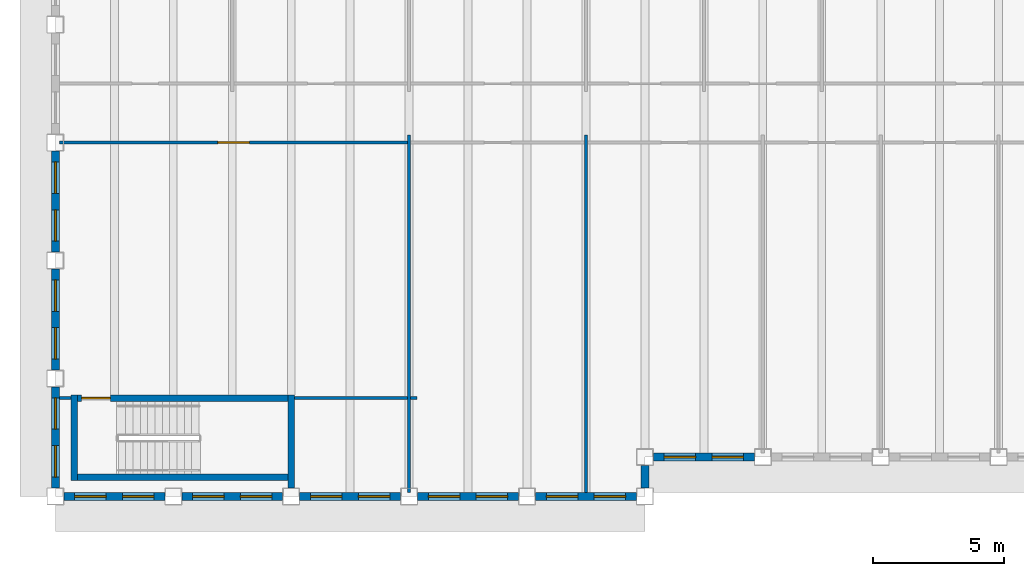
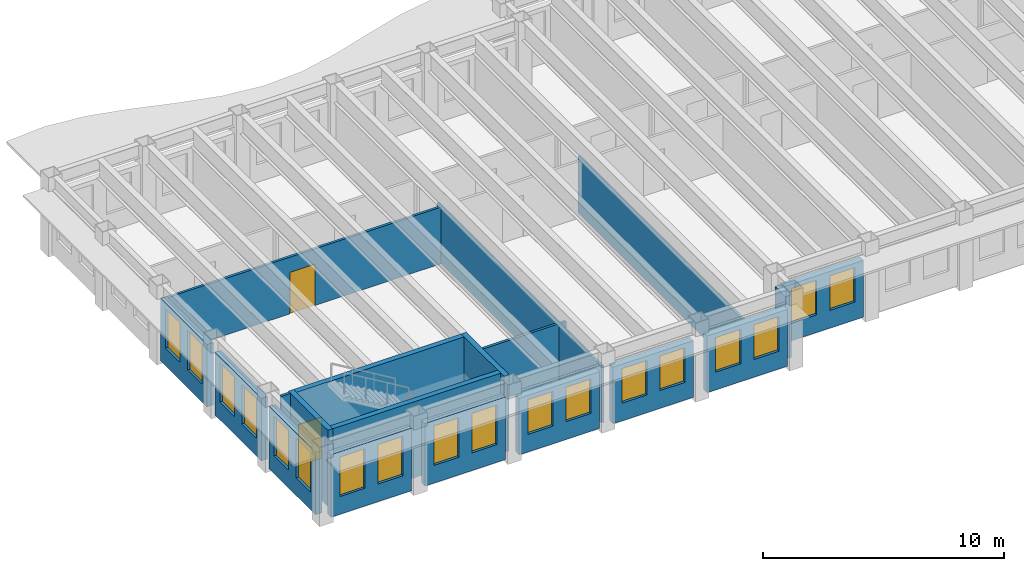
# One storey, part 2 of 12: 20 walls, 18 windows, 2 doors, 20 openings.
"""IFC4 building model written with IfcOpenShell, lengths in metres."""

from ifc_helpers import new_model, si_unit, direction, frame, frame_2d, origin, place, context, subcontext, project, spatial, rectangle, extrude, material, layer, layer_set, type_object, element, fill, save


model = new_model("IFC4")

# Units and contexts
model_context = context("Model", 3, precision=1e-05, world=origin(), true_north=direction((0.0, 1.0)))
body_context = subcontext(model_context, "Body", "Model", "MODEL_VIEW")
ifc_project = project(units=[si_unit("LENGTHUNIT", "METRE"), si_unit("AREAUNIT", "SQUARE_METRE"), si_unit("VOLUMEUNIT", "CUBIC_METRE"), si_unit("PLANEANGLEUNIT", "RADIAN"), si_unit("MASSUNIT", "GRAM", prefix="KILO")], contexts=[model_context])

# Site, building, storey
site_placement = place(None, origin())
site = spatial("IfcSite", under=ifc_project, at=site_placement, CompositionType="ELEMENT")
building_placement = place(site_placement, origin())
building = spatial("IfcBuilding", under=site, at=building_placement, Name="Sennacour Bend Tower", CompositionType="ELEMENT")
storey_placement = place(building_placement, frame((0.0, 0.0, 285.0)))
storey = spatial("IfcBuildingStorey", under=building, at=storey_placement, Name="L66", CompositionType="ELEMENT", Elevation=285.0)

# Walls
ifc_material_1 = material(Name="Plasterboard partition on steel studs", Category="steel")
ifc_layer_1 = layer(ifc_material_1, 0.1201171875, Name="Plasterboard partition on steel studs", Category="steel")
ifc_layer_set_1 = layer_set([ifc_layer_1], Name="Plasterboard partition on steel studs")
wall_type_1 = type_object("IfcWallType", Name="Partition 120", PredefinedType="PARTITIONING", material=ifc_layer_set_1)
for number, where, z_axis, x_axis, name in (
    (1, (13.5, 0.14990234375, 0.0), (0.0, 0.0, 1.0), (0.0, 1.0, 0.0), "P-L66-W005a"),
    (2, (20.25, 0.14990234375, 0.0), (0.0, 0.0, 1.0), (0.0, 1.0, 0.0), "P-L66-W007a"),
):
    element("IfcWall", number, at=place(storey_placement, frame(where, z_axis=z_axis, x_axis=x_axis)), inside=storey, type_object=wall_type_1, Name=name, PredefinedType="PARTITIONING", context=body_context, shape_type="SweptSolid", body=[
        extrude(rectangle(XDim=13.650146484375, YDim=0.1201171875, at=frame_2d((6.8251953125, 0.0))), origin(), (0.0, 0.0, 1.0), 2.8701171875),
    ])
wall_1_placement = place(storey_placement, frame((0.14990234375, 3.75, 0.0), z_axis=(0.0, 0.0, 1.0), x_axis=(1.0, 0.0, 0.0)))
element("IfcWall", 3, at=wall_1_placement, inside=storey, type_object=wall_type_1, Name="P-L66-W032a", PredefinedType="PARTITIONING", context=body_context, shape_type="SweptSolid", body=[
    extrude(rectangle(XDim=0.4501953125, YDim=0.1201171875, at=frame_2d((0.22509765625, 0.0))), origin(), (0.0, 0.0, 1.0), 3.85009765625),
])
wall_2_placement = place(storey_placement, frame((9.125, 3.75, 0.0), z_axis=(0.0, 0.0, 1.0), x_axis=(1.0, 0.0, 0.0)))
element("IfcWall", 4, at=wall_2_placement, inside=storey, type_object=wall_type_1, Name="P-L66-W034aa", PredefinedType="PARTITIONING", context=body_context, shape_type="SweptSolid", body=[
    extrude(rectangle(XDim=4.31494140625, YDim=0.1201171875, at=frame_2d((2.157470703125, 0.0))), origin(), (0.0, 0.0, 1.0), 2.8701171875),
])
wall_3_placement = place(storey_placement, frame((13.56005859375, 3.75, 0.0), z_axis=(0.0, 0.0, 1.0), x_axis=(1.0, 0.0, 0.0)))
element("IfcWall", 5, at=wall_3_placement, inside=storey, type_object=wall_type_1, Name="P-L66-W034ab", PredefinedType="PARTITIONING", context=body_context, shape_type="SweptSolid", body=[
    extrude(rectangle(XDim=0.239990234375, YDim=0.1201171875, at=frame_2d((0.1201171875, 0.0))), origin(), (0.0, 0.0, 1.0), 2.8701171875),
])

# Wall, opening, door
ifc_layer_2 = layer(ifc_material_1, 0.1201171875, Name="Plasterboard partition on steel studs", Category="steel")
ifc_layer_set_2 = layer_set([ifc_layer_2], Name="Plasterboard partition on steel studs")
wall_type_2 = type_object("IfcWallType", Name="Partition 120 EI 30", PredefinedType="PARTITIONING", material=ifc_layer_set_2)
wall_4_placement = place(storey_placement, frame((0.14990234375, 13.5, 0.0), z_axis=(0.0, 0.0, 1.0), x_axis=(1.0, 0.0, 0.0)))
wall_4 = element("IfcWall", 6, at=wall_4_placement, inside=storey, type_object=wall_type_2, Name="P-L66-W040aa", PredefinedType="PARTITIONING", context=body_context, shape_type="SweptSolid", body=[
    extrude(rectangle(XDim=13.2900390625, YDim=0.1201171875, at=frame_2d((6.64501953125, 0.0))), origin(), (0.0, 0.0, 1.0), 2.8701171875),
])
opening_1_placement = place(wall_4_placement, frame((6.05517578125, 0.0, 0.0)))
opening_1 = element("IfcOpeningElement", 7, at=opening_1_placement, cuts=wall_4, Name="Opening KD2", PredefinedType="OPENING", context=body_context, shape_type="SweptSolid", body=[
    extrude(rectangle(XDim=1.199951171875, YDim=2.10009765625, at=frame_2d((0.60009765625, 1.050048828125))), frame((0.0, 0.070068359375, 0.0), z_axis=(0.0, -1.0, 0.0), x_axis=(1.0, 0.0, 0.0)), (0.0, 0.0, 1.0), 0.14013671875),
])
ifc_material_2 = material(Name="Painted steel", Category="steel")
door_type_1 = type_object("IfcDoorType", Name="DR-CORRIDOR-1200", OperationType="NOTDEFINED", PredefinedType="DOOR", material=ifc_material_2)
door_1_placement = place(opening_1_placement, origin())
door_1 = element("IfcDoor", 8, at=door_1_placement, inside=storey, type_object=door_type_1, Name="Door", OperationType="SINGLE_SWING_RIGHT", OverallHeight=2.10009765625, OverallWidth=1.199951171875, PredefinedType="DOOR", context=body_context, shape_type="SweptSolid", body=[
    extrude(rectangle(XDim=1.199951171875, YDim=2.10009765625, at=frame_2d((0.60009765625, 1.050048828125))), frame((0.0, 0.02490234375, 0.0), z_axis=(0.0, -1.0, 0.0), x_axis=(1.0, 0.0, 0.0)), (0.0, 0.0, 1.0), 0.050048828125),
])
fill(opening_1, door_1)

# Wall
ifc_material_3 = material(Name="Warm limestone cladding", Category="masonry")
ifc_layer_3 = layer(ifc_material_3, 0.050048828125, Name="Warm limestone cladding", Category="masonry")
ifc_material_4 = material(Name="Precast concrete C40/50", Category="concrete")
ifc_layer_4 = layer(ifc_material_4, 0.25, Name="Precast concrete C40/50", Category="concrete")
ifc_layer_set_3 = layer_set([ifc_layer_3, ifc_layer_4], Name="Precast concrete C40/50 with limestone cladding")
wall_type_3 = type_object("IfcWallType", Name="STONE-CLAD PRECAST SPANDREL 300", PredefinedType="STANDARD", material=ifc_layer_set_3)
wall_5_placement = place(storey_placement, frame((22.5, 0.324951171875, 0.0), z_axis=(0.0, 0.0, 1.0), x_axis=(0.0, 1.0, 0.0)))
element("IfcWall", 9, at=wall_5_placement, inside=storey, type_object=wall_type_3, Name="Stone spandrel and pier wall L66 00.00", PredefinedType="STANDARD", context=body_context, shape_type="SweptSolid", body=[
    extrude(rectangle(XDim=0.85009765625, YDim=0.300048828125, at=frame_2d((0.425048828125, 0.0))), origin(), (0.0, 0.0, 1.0), 3.162109375),
])

# Wall, openings, windows
wall_6_placement = place(storey_placement, frame((22.824951171875, 1.5, 0.0), z_axis=(0.0, 0.0, 1.0), x_axis=(1.0, 0.0, 0.0)))
wall_6 = element("IfcWall", 10, at=wall_6_placement, inside=storey, type_object=wall_type_3, Name="Stone spandrel and pier wall L66 01.00", PredefinedType="STANDARD", context=body_context, shape_type="SweptSolid", body=[
    extrude(rectangle(XDim=3.85009765625, YDim=0.300048828125, at=frame_2d((1.925048828125, 0.0))), origin(), (0.0, 0.0, 1.0), 2.8701171875),
])
opening_2_placement = place(wall_6_placement, frame((0.41259765625, 0.0, 0.89990234375)))
opening_2 = element("IfcOpeningElement", 11, at=opening_2_placement, cuts=wall_6, Name="Opening W16", PredefinedType="OPENING", context=body_context, shape_type="SweptSolid", body=[
    extrude(rectangle(XDim=1.199951171875, YDim=1.75, at=frame_2d((0.60009765625, 0.875))), frame((0.0, 0.16015625, 0.0), z_axis=(0.0, -1.0, 0.0), x_axis=(1.0, 0.0, 0.0)), (0.0, 0.0, 1.0), 0.320068359375),
])
opening_3_placement = place(wall_6_placement, frame((2.237548828125, 0.0, 0.89990234375)))
opening_3 = element("IfcOpeningElement", 12, at=opening_3_placement, cuts=wall_6, Name="Opening W16", PredefinedType="OPENING", context=body_context, shape_type="SweptSolid", body=[
    extrude(rectangle(XDim=1.199951171875, YDim=1.75, at=frame_2d((0.60009765625, 0.875))), frame((0.0, 0.16015625, 0.0), z_axis=(0.0, -1.0, 0.0), x_axis=(1.0, 0.0, 0.0)), (0.0, 0.0, 1.0), 0.320068359375),
])
ifc_material_5 = material(Name="Clear low-emissivity glass", Category="glass")
window_type_1 = type_object("IfcWindowType", Name="WIN-RIBBON-1200x1750", PartitioningType="SINGLE_PANEL", PredefinedType="WINDOW", material=ifc_material_5)
window_1_placement = place(opening_2_placement, origin())
window_1 = element("IfcWindow", 13, at=window_1_placement, inside=storey, type_object=window_type_1, Name="Ribbon window L66 01.00.0", OverallHeight=1.75, OverallWidth=1.199951171875, PartitioningType="SINGLE_PANEL", PredefinedType="WINDOW", context=body_context, shape_type="SweptSolid", body=[
    extrude(rectangle(XDim=1.199951171875, YDim=1.75, at=frame_2d((0.60009765625, 0.875))), frame((0.0, 0.030029296875, 0.0), z_axis=(0.0, -1.0, 0.0), x_axis=(1.0, 0.0, 0.0)), (0.0, 0.0, 1.0), 0.06005859375),
])
fill(opening_2, window_1)
window_2_placement = place(opening_3_placement, origin())
window_2 = element("IfcWindow", 14, at=window_2_placement, inside=storey, type_object=window_type_1, Name="Ribbon window L66 01.00.1", OverallHeight=1.75, OverallWidth=1.199951171875, PartitioningType="SINGLE_PANEL", PredefinedType="WINDOW", context=body_context, shape_type="SweptSolid", body=[
    extrude(rectangle(XDim=1.199951171875, YDim=1.75, at=frame_2d((0.60009765625, 0.875))), frame((0.0, 0.030029296875, 0.0), z_axis=(0.0, -1.0, 0.0), x_axis=(1.0, 0.0, 0.0)), (0.0, 0.0, 1.0), 0.06005859375),
])
fill(opening_3, window_2)

wall_7_placement = place(storey_placement, frame((0.0, 13.175048828125, 0.0), z_axis=(0.0, 0.0, 1.0), x_axis=(0.0, -1.0, 0.0)))
wall_7 = element("IfcWall", 15, at=wall_7_placement, inside=storey, type_object=wall_type_3, Name="Stone spandrel and pier wall L66 10.02", PredefinedType="STANDARD", context=body_context, shape_type="SweptSolid", body=[
    extrude(rectangle(XDim=3.85009765625, YDim=0.300048828125, at=frame_2d((1.925048828125, 0.0))), origin(), (0.0, 0.0, 1.0), 3.162109375),
])
opening_4_placement = place(wall_7_placement, frame((0.41259765625, 0.0, 0.89990234375)))
opening_4 = element("IfcOpeningElement", 16, at=opening_4_placement, cuts=wall_7, Name="Opening W14", PredefinedType="OPENING", context=body_context, shape_type="SweptSolid", body=[
    extrude(rectangle(XDim=1.199951171875, YDim=2.0, at=frame_2d((0.60009765625, 1.0))), frame((0.0, 0.16015625, 0.0), z_axis=(0.0, -1.0, 0.0), x_axis=(1.0, 0.0, 0.0)), (0.0, 0.0, 1.0), 0.320068359375),
])
opening_5_placement = place(wall_7_placement, frame((2.237548828125, 0.0, 0.89990234375)))
opening_5 = element("IfcOpeningElement", 17, at=opening_5_placement, cuts=wall_7, Name="Opening W14", PredefinedType="OPENING", context=body_context, shape_type="SweptSolid", body=[
    extrude(rectangle(XDim=1.199951171875, YDim=2.0, at=frame_2d((0.60009765625, 1.0))), frame((0.0, 0.16015625, 0.0), z_axis=(0.0, -1.0, 0.0), x_axis=(1.0, 0.0, 0.0)), (0.0, 0.0, 1.0), 0.320068359375),
])
window_type_2 = type_object("IfcWindowType", Name="WIN-RIBBON-1200x2000", PartitioningType="SINGLE_PANEL", PredefinedType="WINDOW", material=ifc_material_5)
window_3_placement = place(opening_4_placement, origin())
window_3 = element("IfcWindow", 18, at=window_3_placement, inside=storey, type_object=window_type_2, Name="Ribbon window L66 10.02.0", OverallHeight=2.0, OverallWidth=1.199951171875, PartitioningType="SINGLE_PANEL", PredefinedType="WINDOW", context=body_context, shape_type="SweptSolid", body=[
    extrude(rectangle(XDim=1.199951171875, YDim=2.0, at=frame_2d((0.60009765625, 1.0))), frame((0.0, 0.030029296875, 0.0), z_axis=(0.0, -1.0, 0.0), x_axis=(1.0, 0.0, 0.0)), (0.0, 0.0, 1.0), 0.06005859375),
])
fill(opening_4, window_3)
window_4_placement = place(opening_5_placement, origin())
window_4 = element("IfcWindow", 19, at=window_4_placement, inside=storey, type_object=window_type_2, Name="Ribbon window L66 10.02.1", OverallHeight=2.0, OverallWidth=1.199951171875, PartitioningType="SINGLE_PANEL", PredefinedType="WINDOW", context=body_context, shape_type="SweptSolid", body=[
    extrude(rectangle(XDim=1.199951171875, YDim=2.0, at=frame_2d((0.60009765625, 1.0))), frame((0.0, 0.030029296875, 0.0), z_axis=(0.0, -1.0, 0.0), x_axis=(1.0, 0.0, 0.0)), (0.0, 0.0, 1.0), 0.06005859375),
])
fill(opening_5, window_4)

wall_8_placement = place(storey_placement, frame((0.0, 8.675048828125, 0.0), z_axis=(0.0, 0.0, 1.0), x_axis=(0.0, -1.0, 0.0)))
wall_8 = element("IfcWall", 20, at=wall_8_placement, inside=storey, type_object=wall_type_3, Name="Stone spandrel and pier wall L66 10.03", PredefinedType="STANDARD", context=body_context, shape_type="SweptSolid", body=[
    extrude(rectangle(XDim=3.85009765625, YDim=0.300048828125, at=frame_2d((1.925048828125, 0.0))), origin(), (0.0, 0.0, 1.0), 3.162109375),
])
opening_6_placement = place(wall_8_placement, frame((0.41259765625, 0.0, 0.89990234375)))
opening_6 = element("IfcOpeningElement", 21, at=opening_6_placement, cuts=wall_8, Name="Opening W14", PredefinedType="OPENING", context=body_context, shape_type="SweptSolid", body=[
    extrude(rectangle(XDim=1.199951171875, YDim=2.0, at=frame_2d((0.60009765625, 1.0))), frame((0.0, 0.16015625, 0.0), z_axis=(0.0, -1.0, 0.0), x_axis=(1.0, 0.0, 0.0)), (0.0, 0.0, 1.0), 0.320068359375),
])
opening_7_placement = place(wall_8_placement, frame((2.237548828125, 0.0, 0.89990234375)))
opening_7 = element("IfcOpeningElement", 22, at=opening_7_placement, cuts=wall_8, Name="Opening W14", PredefinedType="OPENING", context=body_context, shape_type="SweptSolid", body=[
    extrude(rectangle(XDim=1.199951171875, YDim=2.0, at=frame_2d((0.60009765625, 1.0))), frame((0.0, 0.16015625, 0.0), z_axis=(0.0, -1.0, 0.0), x_axis=(1.0, 0.0, 0.0)), (0.0, 0.0, 1.0), 0.320068359375),
])
window_5_placement = place(opening_6_placement, origin())
window_5 = element("IfcWindow", 23, at=window_5_placement, inside=storey, type_object=window_type_2, Name="Ribbon window L66 10.03.0", OverallHeight=2.0, OverallWidth=1.199951171875, PartitioningType="SINGLE_PANEL", PredefinedType="WINDOW", context=body_context, shape_type="SweptSolid", body=[
    extrude(rectangle(XDim=1.199951171875, YDim=2.0, at=frame_2d((0.60009765625, 1.0))), frame((0.0, 0.030029296875, 0.0), z_axis=(0.0, -1.0, 0.0), x_axis=(1.0, 0.0, 0.0)), (0.0, 0.0, 1.0), 0.06005859375),
])
fill(opening_6, window_5)
window_6_placement = place(opening_7_placement, origin())
window_6 = element("IfcWindow", 24, at=window_6_placement, inside=storey, type_object=window_type_2, Name="Ribbon window L66 10.03.1", OverallHeight=2.0, OverallWidth=1.199951171875, PartitioningType="SINGLE_PANEL", PredefinedType="WINDOW", context=body_context, shape_type="SweptSolid", body=[
    extrude(rectangle(XDim=1.199951171875, YDim=2.0, at=frame_2d((0.60009765625, 1.0))), frame((0.0, 0.030029296875, 0.0), z_axis=(0.0, -1.0, 0.0), x_axis=(1.0, 0.0, 0.0)), (0.0, 0.0, 1.0), 0.06005859375),
])
fill(opening_7, window_6)

wall_9_placement = place(storey_placement, frame((0.0, 4.175048828125, 0.0), z_axis=(0.0, 0.0, 1.0), x_axis=(0.0, -1.0, 0.0)))
wall_9 = element("IfcWall", 25, at=wall_9_placement, inside=storey, type_object=wall_type_3, Name="Stone spandrel and pier wall L66 10.04", PredefinedType="STANDARD", context=body_context, shape_type="SweptSolid", body=[
    extrude(rectangle(XDim=3.85009765625, YDim=0.300048828125, at=frame_2d((1.925048828125, 0.0))), origin(), (0.0, 0.0, 1.0), 3.162109375),
])
opening_8_placement = place(wall_9_placement, frame((0.41259765625, 0.0, 0.89990234375)))
opening_8 = element("IfcOpeningElement", 26, at=opening_8_placement, cuts=wall_9, Name="Opening W14", PredefinedType="OPENING", context=body_context, shape_type="SweptSolid", body=[
    extrude(rectangle(XDim=1.199951171875, YDim=2.0, at=frame_2d((0.60009765625, 1.0))), frame((0.0, 0.16015625, 0.0), z_axis=(0.0, -1.0, 0.0), x_axis=(1.0, 0.0, 0.0)), (0.0, 0.0, 1.0), 0.320068359375),
])
opening_9_placement = place(wall_9_placement, frame((2.237548828125, 0.0, 0.89990234375)))
opening_9 = element("IfcOpeningElement", 27, at=opening_9_placement, cuts=wall_9, Name="Opening W14", PredefinedType="OPENING", context=body_context, shape_type="SweptSolid", body=[
    extrude(rectangle(XDim=1.199951171875, YDim=2.0, at=frame_2d((0.60009765625, 1.0))), frame((0.0, 0.16015625, 0.0), z_axis=(0.0, -1.0, 0.0), x_axis=(1.0, 0.0, 0.0)), (0.0, 0.0, 1.0), 0.320068359375),
])
window_7_placement = place(opening_8_placement, origin())
window_7 = element("IfcWindow", 28, at=window_7_placement, inside=storey, type_object=window_type_2, Name="Ribbon window L66 10.04.0", OverallHeight=2.0, OverallWidth=1.199951171875, PartitioningType="SINGLE_PANEL", PredefinedType="WINDOW", context=body_context, shape_type="SweptSolid", body=[
    extrude(rectangle(XDim=1.199951171875, YDim=2.0, at=frame_2d((0.60009765625, 1.0))), frame((0.0, 0.030029296875, 0.0), z_axis=(0.0, -1.0, 0.0), x_axis=(1.0, 0.0, 0.0)), (0.0, 0.0, 1.0), 0.06005859375),
])
fill(opening_8, window_7)
window_8_placement = place(opening_9_placement, origin())
window_8 = element("IfcWindow", 29, at=window_8_placement, inside=storey, type_object=window_type_2, Name="Ribbon window L66 10.04.1", OverallHeight=2.0, OverallWidth=1.199951171875, PartitioningType="SINGLE_PANEL", PredefinedType="WINDOW", context=body_context, shape_type="SweptSolid", body=[
    extrude(rectangle(XDim=1.199951171875, YDim=2.0, at=frame_2d((0.60009765625, 1.0))), frame((0.0, 0.030029296875, 0.0), z_axis=(0.0, -1.0, 0.0), x_axis=(1.0, 0.0, 0.0)), (0.0, 0.0, 1.0), 0.06005859375),
])
fill(opening_9, window_8)

wall_10_placement = place(storey_placement, frame((0.324951171875, 0.0, 0.0), z_axis=(0.0, 0.0, 1.0), x_axis=(1.0, 0.0, 0.0)))
wall_10 = element("IfcWall", 30, at=wall_10_placement, inside=storey, type_object=wall_type_3, Name="Stone spandrel and pier wall L66 11.00", PredefinedType="STANDARD", context=body_context, shape_type="SweptSolid", body=[
    extrude(rectangle(XDim=3.85009765625, YDim=0.300048828125, at=frame_2d((1.925048828125, 0.0))), origin(), (0.0, 0.0, 1.0), 3.162109375),
])
opening_10_placement = place(wall_10_placement, frame((0.41259765625, 0.0, 0.89990234375)))
opening_10 = element("IfcOpeningElement", 31, at=opening_10_placement, cuts=wall_10, Name="Opening W14", PredefinedType="OPENING", context=body_context, shape_type="SweptSolid", body=[
    extrude(rectangle(XDim=1.199951171875, YDim=2.0, at=frame_2d((0.60009765625, 1.0))), frame((0.0, 0.16015625, 0.0), z_axis=(0.0, -1.0, 0.0), x_axis=(1.0, 0.0, 0.0)), (0.0, 0.0, 1.0), 0.320068359375),
])
opening_11_placement = place(wall_10_placement, frame((2.237548828125, 0.0, 0.89990234375)))
opening_11 = element("IfcOpeningElement", 32, at=opening_11_placement, cuts=wall_10, Name="Opening W14", PredefinedType="OPENING", context=body_context, shape_type="SweptSolid", body=[
    extrude(rectangle(XDim=1.199951171875, YDim=2.0, at=frame_2d((0.60009765625, 1.0))), frame((0.0, 0.16015625, 0.0), z_axis=(0.0, -1.0, 0.0), x_axis=(1.0, 0.0, 0.0)), (0.0, 0.0, 1.0), 0.320068359375),
])
window_9_placement = place(opening_10_placement, origin())
window_9 = element("IfcWindow", 33, at=window_9_placement, inside=storey, type_object=window_type_2, Name="Ribbon window L66 11.00.0", OverallHeight=2.0, OverallWidth=1.199951171875, PartitioningType="SINGLE_PANEL", PredefinedType="WINDOW", context=body_context, shape_type="SweptSolid", body=[
    extrude(rectangle(XDim=1.199951171875, YDim=2.0, at=frame_2d((0.60009765625, 1.0))), frame((0.0, 0.030029296875, 0.0), z_axis=(0.0, -1.0, 0.0), x_axis=(1.0, 0.0, 0.0)), (0.0, 0.0, 1.0), 0.06005859375),
])
fill(opening_10, window_9)
window_10_placement = place(opening_11_placement, origin())
window_10 = element("IfcWindow", 34, at=window_10_placement, inside=storey, type_object=window_type_2, Name="Ribbon window L66 11.00.1", OverallHeight=2.0, OverallWidth=1.199951171875, PartitioningType="SINGLE_PANEL", PredefinedType="WINDOW", context=body_context, shape_type="SweptSolid", body=[
    extrude(rectangle(XDim=1.199951171875, YDim=2.0, at=frame_2d((0.60009765625, 1.0))), frame((0.0, 0.030029296875, 0.0), z_axis=(0.0, -1.0, 0.0), x_axis=(1.0, 0.0, 0.0)), (0.0, 0.0, 1.0), 0.06005859375),
])
fill(opening_11, window_10)

wall_11_placement = place(storey_placement, frame((4.824951171875, 0.0, 0.0), z_axis=(0.0, 0.0, 1.0), x_axis=(1.0, 0.0, 0.0)))
wall_11 = element("IfcWall", 35, at=wall_11_placement, inside=storey, type_object=wall_type_3, Name="Stone spandrel and pier wall L66 11.01", PredefinedType="STANDARD", context=body_context, shape_type="SweptSolid", body=[
    extrude(rectangle(XDim=3.85009765625, YDim=0.300048828125, at=frame_2d((1.925048828125, 0.0))), origin(), (0.0, 0.0, 1.0), 3.162109375),
])
opening_12_placement = place(wall_11_placement, frame((0.41259765625, 0.0, 0.89990234375)))
opening_12 = element("IfcOpeningElement", 36, at=opening_12_placement, cuts=wall_11, Name="Opening W14", PredefinedType="OPENING", context=body_context, shape_type="SweptSolid", body=[
    extrude(rectangle(XDim=1.199951171875, YDim=2.0, at=frame_2d((0.60009765625, 1.0))), frame((0.0, 0.16015625, 0.0), z_axis=(0.0, -1.0, 0.0), x_axis=(1.0, 0.0, 0.0)), (0.0, 0.0, 1.0), 0.320068359375),
])
opening_13_placement = place(wall_11_placement, frame((2.237548828125, 0.0, 0.89990234375)))
opening_13 = element("IfcOpeningElement", 37, at=opening_13_placement, cuts=wall_11, Name="Opening W14", PredefinedType="OPENING", context=body_context, shape_type="SweptSolid", body=[
    extrude(rectangle(XDim=1.199951171875, YDim=2.0, at=frame_2d((0.60009765625, 1.0))), frame((0.0, 0.16015625, 0.0), z_axis=(0.0, -1.0, 0.0), x_axis=(1.0, 0.0, 0.0)), (0.0, 0.0, 1.0), 0.320068359375),
])
window_11_placement = place(opening_12_placement, origin())
window_11 = element("IfcWindow", 38, at=window_11_placement, inside=storey, type_object=window_type_2, Name="Ribbon window L66 11.01.0", OverallHeight=2.0, OverallWidth=1.199951171875, PartitioningType="SINGLE_PANEL", PredefinedType="WINDOW", context=body_context, shape_type="SweptSolid", body=[
    extrude(rectangle(XDim=1.199951171875, YDim=2.0, at=frame_2d((0.60009765625, 1.0))), frame((0.0, 0.030029296875, 0.0), z_axis=(0.0, -1.0, 0.0), x_axis=(1.0, 0.0, 0.0)), (0.0, 0.0, 1.0), 0.06005859375),
])
fill(opening_12, window_11)
window_12_placement = place(opening_13_placement, origin())
window_12 = element("IfcWindow", 39, at=window_12_placement, inside=storey, type_object=window_type_2, Name="Ribbon window L66 11.01.1", OverallHeight=2.0, OverallWidth=1.199951171875, PartitioningType="SINGLE_PANEL", PredefinedType="WINDOW", context=body_context, shape_type="SweptSolid", body=[
    extrude(rectangle(XDim=1.199951171875, YDim=2.0, at=frame_2d((0.60009765625, 1.0))), frame((0.0, 0.030029296875, 0.0), z_axis=(0.0, -1.0, 0.0), x_axis=(1.0, 0.0, 0.0)), (0.0, 0.0, 1.0), 0.06005859375),
])
fill(opening_13, window_12)

wall_12_placement = place(storey_placement, frame((9.324951171875, 0.0, 0.0), z_axis=(0.0, 0.0, 1.0), x_axis=(1.0, 0.0, 0.0)))
wall_12 = element("IfcWall", 40, at=wall_12_placement, inside=storey, type_object=wall_type_3, Name="Stone spandrel and pier wall L66 11.02", PredefinedType="STANDARD", context=body_context, shape_type="SweptSolid", body=[
    extrude(rectangle(XDim=3.85009765625, YDim=0.300048828125, at=frame_2d((1.925048828125, 0.0))), origin(), (0.0, 0.0, 1.0), 2.8701171875),
])
opening_14_placement = place(wall_12_placement, frame((0.41259765625, 0.0, 0.89990234375)))
opening_14 = element("IfcOpeningElement", 41, at=opening_14_placement, cuts=wall_12, Name="Opening W16", PredefinedType="OPENING", context=body_context, shape_type="SweptSolid", body=[
    extrude(rectangle(XDim=1.199951171875, YDim=1.75, at=frame_2d((0.60009765625, 0.875))), frame((0.0, 0.16015625, 0.0), z_axis=(0.0, -1.0, 0.0), x_axis=(1.0, 0.0, 0.0)), (0.0, 0.0, 1.0), 0.320068359375),
])
opening_15_placement = place(wall_12_placement, frame((2.237548828125, 0.0, 0.89990234375)))
opening_15 = element("IfcOpeningElement", 42, at=opening_15_placement, cuts=wall_12, Name="Opening W16", PredefinedType="OPENING", context=body_context, shape_type="SweptSolid", body=[
    extrude(rectangle(XDim=1.199951171875, YDim=1.75, at=frame_2d((0.60009765625, 0.875))), frame((0.0, 0.16015625, 0.0), z_axis=(0.0, -1.0, 0.0), x_axis=(1.0, 0.0, 0.0)), (0.0, 0.0, 1.0), 0.320068359375),
])
window_13_placement = place(opening_14_placement, origin())
window_13 = element("IfcWindow", 43, at=window_13_placement, inside=storey, type_object=window_type_1, Name="Ribbon window L66 11.02.0", OverallHeight=1.75, OverallWidth=1.199951171875, PartitioningType="SINGLE_PANEL", PredefinedType="WINDOW", context=body_context, shape_type="SweptSolid", body=[
    extrude(rectangle(XDim=1.199951171875, YDim=1.75, at=frame_2d((0.60009765625, 0.875))), frame((0.0, 0.030029296875, 0.0), z_axis=(0.0, -1.0, 0.0), x_axis=(1.0, 0.0, 0.0)), (0.0, 0.0, 1.0), 0.06005859375),
])
fill(opening_14, window_13)
window_14_placement = place(opening_15_placement, origin())
window_14 = element("IfcWindow", 44, at=window_14_placement, inside=storey, type_object=window_type_1, Name="Ribbon window L66 11.02.1", OverallHeight=1.75, OverallWidth=1.199951171875, PartitioningType="SINGLE_PANEL", PredefinedType="WINDOW", context=body_context, shape_type="SweptSolid", body=[
    extrude(rectangle(XDim=1.199951171875, YDim=1.75, at=frame_2d((0.60009765625, 0.875))), frame((0.0, 0.030029296875, 0.0), z_axis=(0.0, -1.0, 0.0), x_axis=(1.0, 0.0, 0.0)), (0.0, 0.0, 1.0), 0.06005859375),
])
fill(opening_15, window_14)

wall_13_placement = place(storey_placement, frame((13.824951171875, 0.0, 0.0), z_axis=(0.0, 0.0, 1.0), x_axis=(1.0, 0.0, 0.0)))
wall_13 = element("IfcWall", 45, at=wall_13_placement, inside=storey, type_object=wall_type_3, Name="Stone spandrel and pier wall L66 11.03", PredefinedType="STANDARD", context=body_context, shape_type="SweptSolid", body=[
    extrude(rectangle(XDim=3.85009765625, YDim=0.300048828125, at=frame_2d((1.925048828125, 0.0))), origin(), (0.0, 0.0, 1.0), 2.8701171875),
])
opening_16_placement = place(wall_13_placement, frame((0.41259765625, 0.0, 0.89990234375)))
opening_16 = element("IfcOpeningElement", 46, at=opening_16_placement, cuts=wall_13, Name="Opening W16", PredefinedType="OPENING", context=body_context, shape_type="SweptSolid", body=[
    extrude(rectangle(XDim=1.199951171875, YDim=1.75, at=frame_2d((0.60009765625, 0.875))), frame((0.0, 0.16015625, 0.0), z_axis=(0.0, -1.0, 0.0), x_axis=(1.0, 0.0, 0.0)), (0.0, 0.0, 1.0), 0.320068359375),
])
opening_17_placement = place(wall_13_placement, frame((2.237548828125, 0.0, 0.89990234375)))
opening_17 = element("IfcOpeningElement", 47, at=opening_17_placement, cuts=wall_13, Name="Opening W16", PredefinedType="OPENING", context=body_context, shape_type="SweptSolid", body=[
    extrude(rectangle(XDim=1.199951171875, YDim=1.75, at=frame_2d((0.60009765625, 0.875))), frame((0.0, 0.16015625, 0.0), z_axis=(0.0, -1.0, 0.0), x_axis=(1.0, 0.0, 0.0)), (0.0, 0.0, 1.0), 0.320068359375),
])
window_15_placement = place(opening_16_placement, origin())
window_15 = element("IfcWindow", 48, at=window_15_placement, inside=storey, type_object=window_type_1, Name="Ribbon window L66 11.03.0", OverallHeight=1.75, OverallWidth=1.199951171875, PartitioningType="SINGLE_PANEL", PredefinedType="WINDOW", context=body_context, shape_type="SweptSolid", body=[
    extrude(rectangle(XDim=1.199951171875, YDim=1.75, at=frame_2d((0.60009765625, 0.875))), frame((0.0, 0.030029296875, 0.0), z_axis=(0.0, -1.0, 0.0), x_axis=(1.0, 0.0, 0.0)), (0.0, 0.0, 1.0), 0.06005859375),
])
fill(opening_16, window_15)
window_16_placement = place(opening_17_placement, origin())
window_16 = element("IfcWindow", 49, at=window_16_placement, inside=storey, type_object=window_type_1, Name="Ribbon window L66 11.03.1", OverallHeight=1.75, OverallWidth=1.199951171875, PartitioningType="SINGLE_PANEL", PredefinedType="WINDOW", context=body_context, shape_type="SweptSolid", body=[
    extrude(rectangle(XDim=1.199951171875, YDim=1.75, at=frame_2d((0.60009765625, 0.875))), frame((0.0, 0.030029296875, 0.0), z_axis=(0.0, -1.0, 0.0), x_axis=(1.0, 0.0, 0.0)), (0.0, 0.0, 1.0), 0.06005859375),
])
fill(opening_17, window_16)

wall_14_placement = place(storey_placement, frame((18.324951171875, 0.0, 0.0), z_axis=(0.0, 0.0, 1.0), x_axis=(1.0, 0.0, 0.0)))
wall_14 = element("IfcWall", 50, at=wall_14_placement, inside=storey, type_object=wall_type_3, Name="Stone spandrel and pier wall L66 11.04", PredefinedType="STANDARD", context=body_context, shape_type="SweptSolid", body=[
    extrude(rectangle(XDim=3.85009765625, YDim=0.300048828125, at=frame_2d((1.925048828125, 0.0))), origin(), (0.0, 0.0, 1.0), 2.8701171875),
])
opening_18_placement = place(wall_14_placement, frame((0.41259765625, 0.0, 0.89990234375)))
opening_18 = element("IfcOpeningElement", 51, at=opening_18_placement, cuts=wall_14, Name="Opening W16", PredefinedType="OPENING", context=body_context, shape_type="SweptSolid", body=[
    extrude(rectangle(XDim=1.199951171875, YDim=1.75, at=frame_2d((0.60009765625, 0.875))), frame((0.0, 0.16015625, 0.0), z_axis=(0.0, -1.0, 0.0), x_axis=(1.0, 0.0, 0.0)), (0.0, 0.0, 1.0), 0.320068359375),
])
opening_19_placement = place(wall_14_placement, frame((2.237548828125, 0.0, 0.89990234375)))
opening_19 = element("IfcOpeningElement", 52, at=opening_19_placement, cuts=wall_14, Name="Opening W16", PredefinedType="OPENING", context=body_context, shape_type="SweptSolid", body=[
    extrude(rectangle(XDim=1.199951171875, YDim=1.75, at=frame_2d((0.60009765625, 0.875))), frame((0.0, 0.16015625, 0.0), z_axis=(0.0, -1.0, 0.0), x_axis=(1.0, 0.0, 0.0)), (0.0, 0.0, 1.0), 0.320068359375),
])
window_17_placement = place(opening_18_placement, origin())
window_17 = element("IfcWindow", 53, at=window_17_placement, inside=storey, type_object=window_type_1, Name="Ribbon window L66 11.04.0", OverallHeight=1.75, OverallWidth=1.199951171875, PartitioningType="SINGLE_PANEL", PredefinedType="WINDOW", context=body_context, shape_type="SweptSolid", body=[
    extrude(rectangle(XDim=1.199951171875, YDim=1.75, at=frame_2d((0.60009765625, 0.875))), frame((0.0, 0.030029296875, 0.0), z_axis=(0.0, -1.0, 0.0), x_axis=(1.0, 0.0, 0.0)), (0.0, 0.0, 1.0), 0.06005859375),
])
fill(opening_18, window_17)
window_18_placement = place(opening_19_placement, origin())
window_18 = element("IfcWindow", 54, at=window_18_placement, inside=storey, type_object=window_type_1, Name="Ribbon window L66 11.04.1", OverallHeight=1.75, OverallWidth=1.199951171875, PartitioningType="SINGLE_PANEL", PredefinedType="WINDOW", context=body_context, shape_type="SweptSolid", body=[
    extrude(rectangle(XDim=1.199951171875, YDim=1.75, at=frame_2d((0.60009765625, 0.875))), frame((0.0, 0.030029296875, 0.0), z_axis=(0.0, -1.0, 0.0), x_axis=(1.0, 0.0, 0.0)), (0.0, 0.0, 1.0), 0.06005859375),
])
fill(opening_19, window_18)

# Walls
ifc_material_6 = material(Name="Concrete C60/75", Category="concrete")
ifc_layer_5 = layer(ifc_material_6, 0.25, Name="Concrete C60/75", Category="concrete")
ifc_layer_set_4 = layer_set([ifc_layer_5], Name="Concrete C60/75")
wall_type_4 = type_object("IfcWallType", Name="Stair wall 250", PredefinedType="SHEAR", material=ifc_layer_set_4)
wall_15_placement = place(storey_placement, frame((0.72509765625, 0.60009765625, 0.0), z_axis=(0.0, 0.0, 1.0), x_axis=(0.0, 1.0, 0.0)))
element("IfcWall", 55, at=wall_15_placement, inside=storey, type_object=wall_type_4, Name="P-L66-W002", PredefinedType="SHEAR", context=body_context, shape_type="SweptSolid", body=[
    extrude(rectangle(XDim=3.27490234375, YDim=0.25, at=frame_2d((1.637451171875, 0.0))), origin(), (0.0, 0.0, 1.0), 3.85009765625),
])
wall_16_placement = place(storey_placement, frame((9.0, 0.324951171875, 0.0), z_axis=(0.0, 0.0, 1.0), x_axis=(0.0, 1.0, 0.0)))
element("IfcWall", 56, at=wall_16_placement, inside=storey, type_object=wall_type_4, Name="P-L66-W004", PredefinedType="SHEAR", context=body_context, shape_type="SweptSolid", body=[
    extrude(rectangle(XDim=3.550048828125, YDim=0.25, at=frame_2d((1.77490234375, 0.0))), origin(), (0.0, 0.0, 1.0), 3.85009765625),
])
wall_17_placement = place(storey_placement, frame((0.85009765625, 0.72509765625, 0.0), z_axis=(0.0, 0.0, 1.0), x_axis=(1.0, 0.0, 0.0)))
element("IfcWall", 57, at=wall_17_placement, inside=storey, type_object=wall_type_4, Name="P-L66-W030", PredefinedType="SHEAR", context=body_context, shape_type="SweptSolid", body=[
    extrude(rectangle(XDim=8.02490234375, YDim=0.25, at=frame_2d((4.012451171875, 0.0))), origin(), (0.0, 0.0, 1.0), 3.85009765625),
])

# Wall, opening, door
wall_18_placement = place(storey_placement, frame((0.85009765625, 3.75, 0.0), z_axis=(0.0, 0.0, 1.0), x_axis=(1.0, 0.0, 0.0)))
wall_18 = element("IfcWall", 58, at=wall_18_placement, inside=storey, type_object=wall_type_4, Name="P-L66-W033", PredefinedType="SHEAR", context=body_context, shape_type="SweptSolid", body=[
    extrude(rectangle(XDim=8.02490234375, YDim=0.25, at=frame_2d((4.012451171875, 0.0))), origin(), (0.0, 0.0, 1.0), 3.85009765625),
])
opening_20_placement = place(wall_18_placement, frame((0.14990234375, 0.0, 0.0)))
opening_20 = element("IfcOpeningElement", 59, at=opening_20_placement, cuts=wall_18, Name="Opening SD", PredefinedType="OPENING", context=body_context, shape_type="SweptSolid", body=[
    extrude(rectangle(XDim=1.10009765625, YDim=2.10009765625, at=frame_2d((0.550048828125, 1.050048828125))), frame((0.0, 0.135009765625, 0.0), z_axis=(0.0, -1.0, 0.0), x_axis=(1.0, 0.0, 0.0)), (0.0, 0.0, 1.0), 0.27001953125),
])
door_type_2 = type_object("IfcDoorType", Name="DR-STAIR-1100", OperationType="NOTDEFINED", PredefinedType="DOOR", material=ifc_material_2)
door_2_placement = place(opening_20_placement, origin())
door_2 = element("IfcDoor", 60, at=door_2_placement, inside=storey, type_object=door_type_2, Name="Door", OperationType="SINGLE_SWING_LEFT", OverallHeight=2.10009765625, OverallWidth=1.10009765625, PredefinedType="DOOR", context=body_context, shape_type="SweptSolid", body=[
    extrude(rectangle(XDim=1.10009765625, YDim=2.10009765625, at=frame_2d((0.550048828125, 1.050048828125))), frame((0.0, 0.02490234375, 0.0), z_axis=(0.0, -1.0, 0.0), x_axis=(1.0, 0.0, 0.0)), (0.0, 0.0, 1.0), 0.050048828125),
])
fill(opening_20, door_2)

save(model, "model.ifc")
